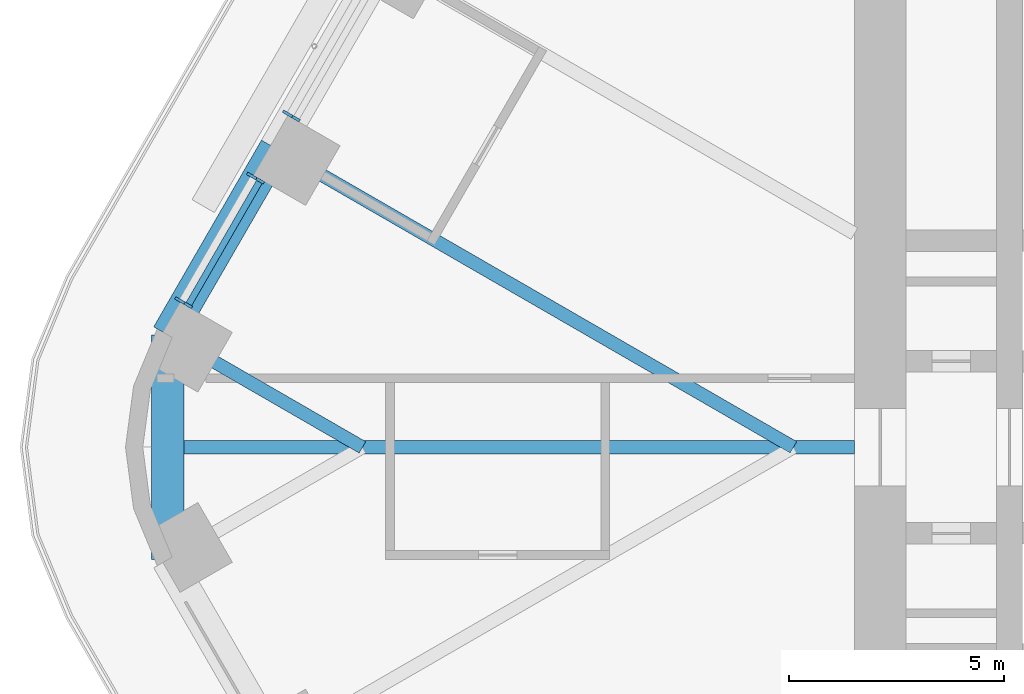
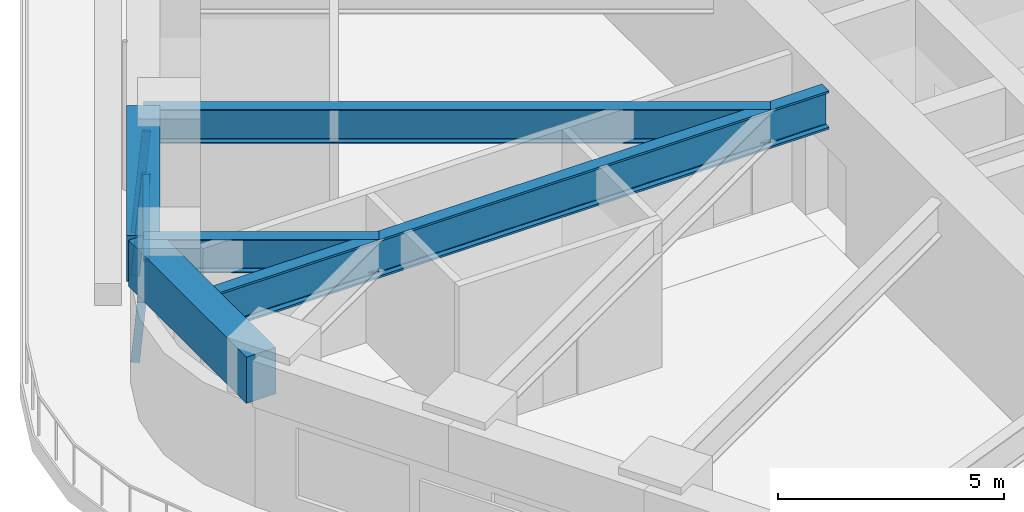
# One storey, part 6 of 24: 5 beams, 4 members, 2 elements without a shape of their own.
"""IFC4 building model written with IfcOpenShell, lengths in metres."""

from ifc_helpers import new_model, si_unit, direction, frame, origin, origin_2d, place, context, subcontext, project, spatial, rectangle, i_section, extrude, material, material_profile, profile_set, type_object, element, aggregate, save


model = new_model("IFC4")

# Units and contexts
model_context = context("Model", 3, precision=1e-05, world=origin(), true_north=direction((0.0, 1.0)))
body_context = subcontext(model_context, "Body", "Model", "MODEL_VIEW")
ifc_project = project(units=[si_unit("LENGTHUNIT", "METRE"), si_unit("AREAUNIT", "SQUARE_METRE"), si_unit("VOLUMEUNIT", "CUBIC_METRE"), si_unit("PLANEANGLEUNIT", "RADIAN"), si_unit("MASSUNIT", "GRAM", prefix="KILO")], contexts=[model_context])

# Site, building, storey
site_placement = place(None, origin())
site = spatial("IfcSite", under=ifc_project, at=site_placement, CompositionType="ELEMENT")
building_placement = place(site_placement, origin())
building = spatial("IfcBuilding", under=site, at=building_placement, Name="Tarfa Lantern Tower", CompositionType="ELEMENT")
storey_placement = place(building_placement, frame((0.0, 0.0, 178.300048828125)))
storey = spatial("IfcBuildingStorey", under=building, at=storey_placement, Name="L40", CompositionType="ELEMENT", Elevation=178.300048828125)

# Curtain wall, member
ifc_material_1 = material(Name="Aluminium framed curtain wall", Category="aluminium")
curtain_wall_type = type_object("IfcCurtainWallType", Name="CW2 CANTED GLAZING MID ZONE 2750", PredefinedType="USERDEFINED", material=ifc_material_1)
curtain_wall_1_placement = place(storey_placement, origin())
curtain_wall_1 = element("IfcCurtainWall", 1, at=curtain_wall_1_placement, inside=storey, type_object=curtain_wall_type, Name="CW2 NWB L40", ObjectType="CURTAIN WALL", PredefinedType="USERDEFINED")
ifc_material_2 = material(Name="Aluminium mullion", Category="aluminium")
ifc_material_profile_1 = material_profile(ifc_material_2, rectangle(XDim=0.06494140625, YDim=0.199951171875, at=origin_2d()), Name="AL MULLION 65x200")
ifc_profile_set_1 = profile_set([ifc_material_profile_1], Name="Aluminium mullion")
member_type_1 = type_object("IfcMemberType", Name="CWM1 MULLION 65x200", PredefinedType="MULLION", material=ifc_profile_set_1)
member_1_placement = place(storey_placement, frame((-31.78076171875, 7.75439453125, 0.0), z_axis=(0.078422950161, -0.045267813396, 0.995891894715), x_axis=(0.499919672301, 0.866071776036, 0.0)))
member_1 = element("IfcMember", 2, at=member_1_placement, type_object=member_type_1, Name="CW2 mullion 2", PredefinedType="MULLION", context=body_context, shape_type="SweptSolid", body=[
    extrude(rectangle(XDim=0.06494140625, YDim=0.199951171875, at=origin_2d()), origin(), (0.0, 0.0, 1.0), 2.76123046875),
])
aggregate(curtain_wall_1, [member_1])

# Curtain wall, members
curtain_wall_2_placement = place(storey_placement, origin())
curtain_wall_2 = element("IfcCurtainWall", 3, at=curtain_wall_2_placement, inside=storey, type_object=curtain_wall_type, Name="CW2 NWB L40", ObjectType="CURTAIN WALL", PredefinedType="USERDEFINED")
member_2_placement = place(storey_placement, frame((-32.613037109375, 6.312255859375, 0.0), z_axis=(0.078335079308, -0.045268127094, 0.995898796073), x_axis=(0.500342721131, 0.865827443207, 0.0)))
member_2 = element("IfcMember", 4, at=member_2_placement, type_object=member_type_1, Name="CW2 mullion 1", PredefinedType="MULLION", context=body_context, shape_type="SweptSolid", body=[
    extrude(rectangle(XDim=0.06494140625, YDim=0.199951171875, at=origin_2d()), origin(), (0.0, 0.0, 1.0), 2.76123046875),
])
member_3_placement = place(storey_placement, frame((-34.282470703125, 3.4208984375, 0.0), z_axis=(0.078422950161, -0.045267813396, 0.995891894715), x_axis=(0.499919672301, 0.866071776036, 0.0)))
member_3 = element("IfcMember", 5, at=member_3_placement, type_object=member_type_1, Name="CW2 mullion 2", PredefinedType="MULLION", context=body_context, shape_type="SweptSolid", body=[
    extrude(rectangle(XDim=0.06494140625, YDim=0.199951171875, at=origin_2d()), origin(), (0.0, 0.0, 1.0), 2.76123046875),
])
ifc_material_3 = material(Name="Aluminium transom", Category="aluminium")
ifc_material_profile_2 = material_profile(ifc_material_3, rectangle(XDim=0.14990234375, YDim=0.06494140625, at=origin_2d()), Name="AL TRANSOM 150x65")
ifc_profile_set_2 = profile_set([ifc_material_profile_2], Name="Aluminium transom")
member_type_2 = type_object("IfcMemberType", Name="CWT1 TRANSOM 150x65", PredefinedType="USERDEFINED", material=ifc_profile_set_2)
member_4_placement = place(storey_placement, frame((-32.41552734375, 6.16064453125, 2.717529296875), z_axis=(-0.499989298045, -0.866031582473, 0.0), x_axis=(0.866031582473, -0.499989298045, 0.0)))
member_4 = element("IfcMember", 6, at=member_4_placement, type_object=member_type_2, Name="CW2 transom 1.2", ObjectType="TRANSOM", PredefinedType="USERDEFINED", context=body_context, shape_type="SweptSolid", body=[
    extrude(rectangle(XDim=0.14990234375, YDim=0.06494140625, at=origin_2d()), origin(), (0.0, 0.0, 1.0), 3.2734375),
])
aggregate(curtain_wall_2, [member_2, member_3, member_4])

# Beams
ifc_material_4 = material(Name="Concrete C80/95", Category="concrete")
ifc_material_profile_3 = material_profile(ifc_material_4, rectangle(XDim=0.75, YDim=1.25, at=origin_2d()), Name="RC 750x1250")
ifc_profile_set_3 = profile_set([ifc_material_profile_3], Name="Concrete C80/95")
beam_type_1 = type_object("IfcBeamType", Name="EB2 RC 750x1250", PredefinedType="SPANDREL", material=ifc_profile_set_3)
beam_1_placement = place(storey_placement, frame((-32.041015625, 6.943359375, 3.375), z_axis=(-0.500022324899, -0.866012514114, 0.0), x_axis=(0.866012514114, -0.500022324899, 0.0)))
element("IfcBeam", 7, at=beam_1_placement, inside=storey, type_object=beam_type_1, Name="Edge beam NW5", PredefinedType="SPANDREL", context=body_context, shape_type="SweptSolid", body=[
    extrude(rectangle(XDim=0.75, YDim=1.25, at=origin_2d()), origin(), (0.0, 0.0, 1.0), 5.003662109375),
])
beam_2_placement = place(storey_placement, frame((-34.54296875, 2.610107421875, 3.375), z_axis=(0.0, -1.0, 0.0), x_axis=(1.0, 0.0, 0.0)))
element("IfcBeam", 8, at=beam_2_placement, inside=storey, type_object=beam_type_1, Name="Edge beam NW6", PredefinedType="SPANDREL", context=body_context, shape_type="SweptSolid", body=[
    extrude(rectangle(XDim=0.75, YDim=1.25, at=origin_2d()), origin(), (0.0, 0.0, 1.0), 5.22021484375),
])
ifc_material_5 = material(Name="Steel S460M", Category="steel")
ifc_material_profile_4 = material_profile(ifc_material_5, i_section(OverallWidth=0.30859375, OverallDepth=1.036376953125, WebThickness=0.030029296875, FlangeThickness=0.05419921875, FilletRadius=0.030029296875, at=origin_2d()), Name="UB1016x305x487")
ifc_profile_set_4 = profile_set([ifc_material_profile_4], Name="Steel S460M")
beam_type_2 = type_object("IfcBeamType", Name="UB1016x305x487", PredefinedType="BEAM", material=ifc_profile_set_4)
beam_3_placement = place(storey_placement, frame((-18.60009765625, 0.0, 3.481689453125), z_axis=(-1.0, 0.0, 0.0), x_axis=(0.0, -1.0, 0.0)))
element("IfcBeam", 9, at=beam_3_placement, inside=storey, type_object=beam_type_2, Name="Hip girder W", PredefinedType="BEAM", context=body_context, shape_type="SweptSolid", body=[
    extrude(i_section(OverallWidth=0.30859375, OverallDepth=1.036376953125, WebThickness=0.030029296875, FlangeThickness=0.05419921875, FilletRadius=0.030029296875, at=origin_2d()), origin(), (0.0, 0.0, 1.0), 15.94287109375),
])
ifc_material_profile_5 = material_profile(ifc_material_5, i_section(OverallWidth=0.305419921875, OverallDepth=0.91845703125, WebThickness=0.017333984375, FlangeThickness=0.02783203125, FilletRadius=0.01904296875, at=origin_2d()), Name="UB914x305x253")
ifc_profile_set_5 = profile_set([ifc_material_profile_5], Name="Steel S460M")
beam_type_3 = type_object("IfcBeamType", Name="UB914x305x253", PredefinedType="BEAM", material=ifc_profile_set_5)
beam_4_placement = place(storey_placement, frame((-32.041015625, 6.943359375, 3.540771484375), z_axis=(0.866023096411, -0.500003996466, 0.0), x_axis=(0.500003996466, 0.866023096411, 0.0)))
element("IfcBeam", 10, at=beam_4_placement, inside=storey, type_object=beam_type_3, Name="Floor beam NW5", PredefinedType="BEAM", context=body_context, shape_type="SweptSolid", body=[
    extrude(i_section(OverallWidth=0.305419921875, OverallDepth=0.91845703125, WebThickness=0.017333984375, FlangeThickness=0.02783203125, FilletRadius=0.01904296875, at=origin_2d()), origin(), (0.0, 0.0, 1.0), 13.88671875),
])
beam_5_placement = place(storey_placement, frame((-34.54296875, 2.610107421875, 3.540771484375), z_axis=(0.866021250859, -0.500007193008, 0.0), x_axis=(0.500007193008, 0.866021250859, 0.0)))
element("IfcBeam", 11, at=beam_5_placement, inside=storey, type_object=beam_type_3, Name="Floor beam NW6", PredefinedType="BEAM", context=body_context, shape_type="SweptSolid", body=[
    extrude(i_section(OverallWidth=0.305419921875, OverallDepth=0.91845703125, WebThickness=0.017333984375, FlangeThickness=0.02783203125, FilletRadius=0.01904296875, at=origin_2d()), origin(), (0.0, 0.0, 1.0), 5.22021484375),
])

save(model, "model.ifc")
